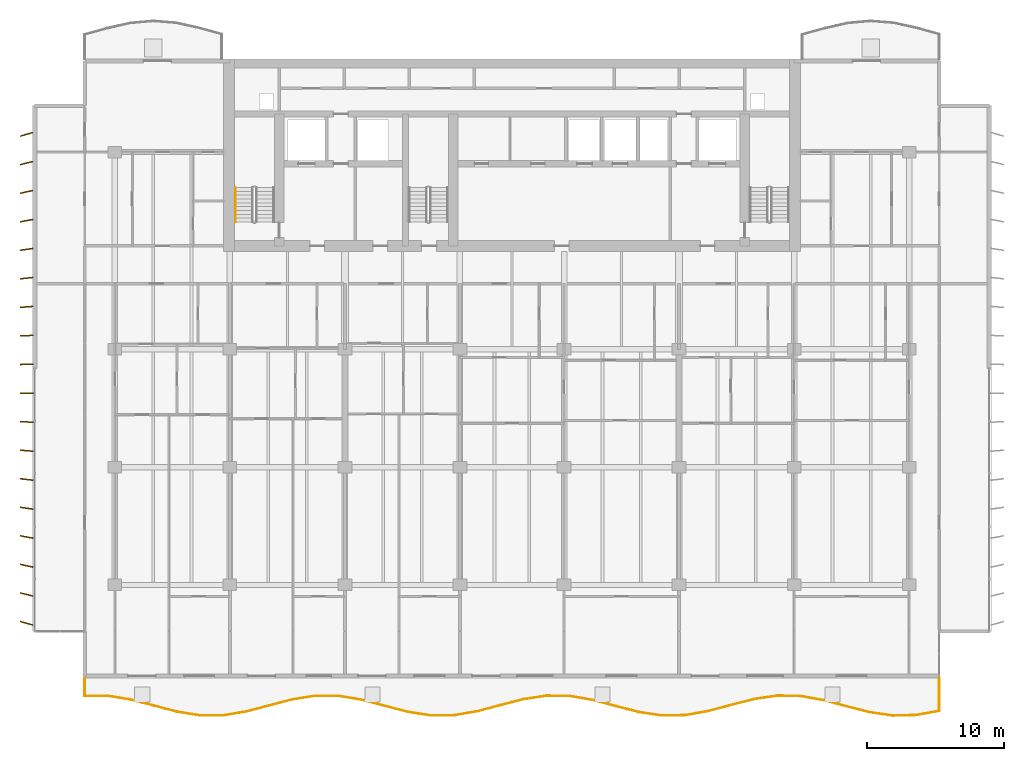
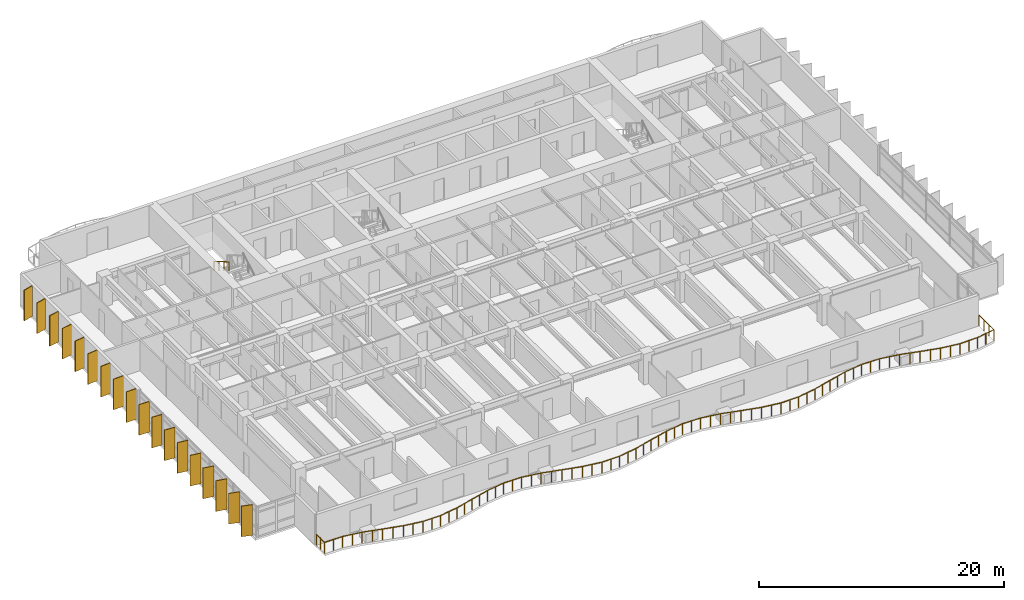
# One storey, part 13 of 16: 18 shading devices, 2 railings.
"""IFC4 building model written with IfcOpenShell, lengths in metres."""

from ifc_helpers import new_model, si_unit, direction, frame, origin, origin_2d, place, context, subcontext, project, spatial, rectangle, circle, extrude, material, material_profile, profile_set, type_object, element, save


model = new_model("IFC4")

# Units and contexts
model_context = context("Model", 3, precision=1e-05, world=origin(), true_north=direction((0.0, 1.0)))
body_context = subcontext(model_context, "Body", "Model", "MODEL_VIEW")
ifc_project = project(units=[si_unit("LENGTHUNIT", "METRE"), si_unit("AREAUNIT", "SQUARE_METRE"), si_unit("VOLUMEUNIT", "CUBIC_METRE"), si_unit("PLANEANGLEUNIT", "RADIAN"), si_unit("MASSUNIT", "GRAM", prefix="KILO")], contexts=[model_context])

# Site, building, storey
site_placement = place(None, origin())
site = spatial("IfcSite", under=ifc_project, at=site_placement, CompositionType="ELEMENT")
building_placement = place(site_placement, origin())
building = spatial("IfcBuilding", under=site, at=building_placement, Name="Caelmar Bay Residences", CompositionType="ELEMENT")
storey_placement = place(building_placement, frame((0.0, 0.0, 145.5)))
storey = spatial("IfcBuildingStorey", under=building, at=storey_placement, Name="L40", CompositionType="ELEMENT", Elevation=145.5)

# Railings
ifc_material_1 = material(Name="Anodised bronze handrail with laminated hurricane glass infill", Category="glass")
railing_type_1 = type_object("IfcRailingType", Name="RL-BAL-1100", PredefinedType="BALUSTRADE", material=ifc_material_1)
railing_1_placement = place(storey_placement, frame((7.699951171875, 5.39990234375, 0.0)))
element("IfcRailing", 1, at=railing_1_placement, inside=storey, type_object=railing_type_1, Name="L40 south Balcony Balustrade", PredefinedType="BALUSTRADE", context=body_context, shape_type="SweptSolid", body=[
    extrude(circle(Radius=0.02392578125, at=origin_2d()), frame((0.0, 0.0, 1.076171875), z_axis=(0.0, -1.0, 0.0), x_axis=(1.0, 0.0, 0.0)), (0.0, 0.0, 1.0), 1.306640625),
    extrude(circle(Radius=0.02392578125, at=origin_2d()), frame((0.0, -1.306640625, 1.076171875), z_axis=(0.999999958089, -0.000289519386, 0.0), x_axis=(0.000289519386, 0.999999958089, 0.0)), (0.0, 0.0, 1.0), 1.6865234375),
    extrude(circle(Radius=0.02392578125, at=origin_2d()), frame((1.6865234375, -1.30712890625, 1.076171875), z_axis=(0.986974579676, -0.160876284991, 0.0), x_axis=(0.160876284991, 0.986974579676, 0.0)), (0.0, 0.0, 1.0), 1.708740234375),
    extrude(circle(Radius=0.02392578125, at=origin_2d()), frame((3.373046875, -1.58203125, 1.076171875), z_axis=(0.967139791751, -0.254245202927, 0.0), x_axis=(0.254245202927, 0.967139791751, 0.0)), (0.0, 0.0, 1.0), 1.743896484375),
    extrude(circle(Radius=0.02392578125, at=origin_2d()), frame((5.0595703125, -2.025390625, 1.076171875), z_axis=(0.967440029978, -0.253100352421, 0.0), x_axis=(0.253100352421, 0.967440029978, 0.0)), (0.0, 0.0, 1.0), 1.742919921875),
    extrude(circle(Radius=0.02392578125, at=origin_2d()), frame((6.745849609375, -2.466552734375, 1.076171875), z_axis=(0.9874914269, -0.157672704672, 0.0), x_axis=(0.157672704672, 0.9874914269, 0.0)), (0.0, 0.0, 1.0), 1.7080078125),
    extrude(circle(Radius=0.02392578125, at=origin_2d()), frame((8.432373046875, -2.73583984375, 1.076171875), z_axis=(0.999993451511, 0.003618968774, 0.0), x_axis=(-0.003618968774, 0.999993451511, 0.0)), (0.0, 0.0, 1.0), 1.6865234375),
    extrude(circle(Radius=0.02392578125, at=origin_2d()), frame((10.118896484375, -2.729736328125, 1.076171875), z_axis=(0.986563231063, 0.163379898138, 0.0), x_axis=(-0.163379898138, 0.986563231063, 0.0)), (0.0, 0.0, 1.0), 1.70947265625),
    extrude(circle(Radius=0.02392578125, at=origin_2d()), frame((11.805419921875, -2.450439453125, 1.076171875), z_axis=(0.966898439916, 0.255161530974, 0.0), x_axis=(-0.255161530974, 0.966898439916, 0.0)), (0.0, 0.0, 1.0), 1.744140625),
    extrude(circle(Radius=0.02392578125, at=origin_2d()), frame((13.491943359375, -2.00537109375, 1.076171875), z_axis=(0.967688638473, 0.252148168682, 0.0), x_axis=(-0.252148168682, 0.967688638473, 0.0)), (0.0, 0.0, 1.0), 1.742919921875),
    extrude(circle(Radius=0.02392578125, at=origin_2d()), frame((15.178466796875, -1.56591796875, 1.076171875), z_axis=(0.987910938924, 0.155022504023, 0.0), x_axis=(-0.155022504023, 0.987910938924, 0.0)), (0.0, 0.0, 1.0), 1.707275390625),
    extrude(circle(Radius=0.02392578125, at=origin_2d()), frame((16.864990234375, -1.30126953125, 1.076171875), z_axis=(0.999975860287, -0.006948297813, 0.0), x_axis=(0.006948297813, 0.999975860287, 0.0)), (0.0, 0.0, 1.0), 1.6865234375),
    extrude(circle(Radius=0.02392578125, at=origin_2d()), frame((18.551513671875, -1.31298828125, 1.076171875), z_axis=(0.986118588389, -0.166042553684, 0.0), x_axis=(0.166042553684, 0.986118588389, 0.0)), (0.0, 0.0, 1.0), 1.7099609375),
    extrude(circle(Radius=0.02392578125, at=origin_2d()), frame((20.23779296875, -1.596923828125, 1.076171875), z_axis=(0.966690972381, -0.255946408292, 0.0), x_axis=(0.255946408292, 0.966690972381, 0.0)), (0.0, 0.0, 1.0), 1.74462890625),
    extrude(circle(Radius=0.02392578125, at=origin_2d()), frame((21.92431640625, -2.04345703125, 1.076171875), z_axis=(0.967927523166, -0.251229595981, 0.0), x_axis=(0.251229595981, 0.967927523166, 0.0)), (0.0, 0.0, 1.0), 1.742431640625),
    extrude(circle(Radius=0.02392578125, at=origin_2d()), frame((23.61083984375, -2.481201171875, 1.076171875), z_axis=(0.988323683, -0.152368952287, 0.0), x_axis=(0.152368952287, 0.988323683, 0.0)), (0.0, 0.0, 1.0), 1.70654296875),
    extrude(circle(Radius=0.02392578125, at=origin_2d()), frame((25.29736328125, -2.7412109375, 1.076171875), z_axis=(0.999945688105, 0.010422132244, 0.0), x_axis=(-0.010422132244, 0.999945688105, 0.0)), (0.0, 0.0, 1.0), 1.6865234375),
    extrude(circle(Radius=0.02392578125, at=origin_2d()), frame((26.98388671875, -2.7236328125, 1.076171875), z_axis=(0.985698872847, 0.168516266478, 0.0), x_axis=(-0.168516266478, 0.985698872847, 0.0)), (0.0, 0.0, 1.0), 1.7109375),
    extrude(circle(Radius=0.02392578125, at=origin_2d()), frame((28.67041015625, -2.435302734375, 1.076171875), z_axis=(0.966448234949, 0.256861459086, 0.0), x_axis=(-0.256861459086, 0.966448234949, 0.0)), (0.0, 0.0, 1.0), 1.7451171875),
    extrude(circle(Radius=0.02392578125, at=origin_2d()), frame((30.35693359375, -1.987060546875, 1.076171875), z_axis=(0.968224786027, 0.250081514156, 0.0), x_axis=(-0.250081514156, 0.968224786027, 0.0)), (0.0, 0.0, 1.0), 1.74169921875),
    extrude(circle(Radius=0.02392578125, at=origin_2d()), frame((32.043212890625, -1.551513671875, 1.076171875), z_axis=(0.988729632771, 0.149712101314, 0.0), x_axis=(-0.149712101314, 0.988729632771, 0.0)), (0.0, 0.0, 1.0), 1.705810546875),
    extrude(circle(Radius=0.02392578125, at=origin_2d()), frame((33.729736328125, -1.296142578125, 1.076171875), z_axis=(0.999905452302, -0.013750871159, 0.0), x_axis=(0.013750871159, 0.999905452302, 0.0)), (0.0, 0.0, 1.0), 1.686767578125),
    extrude(circle(Radius=0.02392578125, at=origin_2d()), frame((35.416259765625, -1.3193359375, 1.076171875), z_axis=(0.985269273516, -0.17101011276, 0.0), x_axis=(0.17101011276, 0.985269273516, 0.0)), (0.0, 0.0, 1.0), 1.711669921875),
    extrude(circle(Radius=0.02392578125, at=origin_2d()), frame((37.102783203125, -1.612060546875, 1.076171875), z_axis=(0.966239582517, -0.257645238998, 0.0), x_axis=(0.257645238998, 0.966239582517, 0.0)), (0.0, 0.0, 1.0), 1.745361328125),
    extrude(circle(Radius=0.02392578125, at=origin_2d()), frame((38.789306640625, -2.061767578125, 1.076171875), z_axis=(0.968504525457, -0.248995952115, 0.0), x_axis=(0.248995952115, 0.968504525457, 0.0)), (0.0, 0.0, 1.0), 1.741455078125),
    extrude(circle(Radius=0.02392578125, at=origin_2d()), frame((40.475830078125, -2.495361328125, 1.076171875), z_axis=(0.989149579657, -0.146911909196, 0.0), x_axis=(0.146911909196, 0.989149579657, 0.0)), (0.0, 0.0, 1.0), 1.705078125),
    extrude(circle(Radius=0.02392578125, at=origin_2d()), frame((42.162353515625, -2.745849609375, 1.076171875), z_axis=(0.999856560301, 0.016936907131, 0.0), x_axis=(-0.016936907131, 0.999856560301, 0.0)), (0.0, 0.0, 1.0), 1.6865234375),
    extrude(circle(Radius=0.02392578125, at=origin_2d()), frame((43.8486328125, -2.71728515625, 1.076171875), z_axis=(0.984833750045, 0.173500676578, 0.0), x_axis=(-0.173500676578, 0.984833750045, 0.0)), (0.0, 0.0, 1.0), 1.71240234375),
    extrude(circle(Radius=0.02392578125, at=origin_2d()), frame((45.53515625, -2.420166015625, 1.076171875), z_axis=(0.966030385071, 0.258428510656, 0.0), x_axis=(-0.258428510656, 0.966030385071, 0.0)), (0.0, 0.0, 1.0), 1.745849609375),
    extrude(circle(Radius=0.02392578125, at=origin_2d()), frame((47.2216796875, -1.968994140625, 1.076171875), z_axis=(0.968808185874, 0.24781182172, 0.0), x_axis=(-0.24781182172, 0.968808185874, 0.0)), (0.0, 0.0, 1.0), 1.74072265625),
    extrude(circle(Radius=0.02392578125, at=origin_2d()), frame((48.908203125, -1.53759765625, 1.076171875), z_axis=(0.989521045856, 0.144388710802, 0.0), x_axis=(-0.144388710802, 0.989521045856, 0.0)), (0.0, 0.0, 1.0), 1.704345703125),
    extrude(circle(Radius=0.02392578125, at=origin_2d()), frame((50.5947265625, -1.29150390625, 1.076171875), z_axis=(0.999791758205, -0.020406867097, 0.0), x_axis=(0.020406867097, 0.999791758205, 0.0)), (0.0, 0.0, 1.0), 1.686767578125),
    extrude(circle(Radius=0.02392578125, at=origin_2d()), frame((52.28125, -1.325927734375, 1.076171875), z_axis=(0.984387912567, -0.176012606344, 0.0), x_axis=(0.176012606344, 0.984387912567, 0.0)), (0.0, 0.0, 1.0), 1.713134765625),
    extrude(circle(Radius=0.02392578125, at=origin_2d()), frame((53.967529296875, -1.62744140625, 1.076171875), z_axis=(0.965855638387, -0.259080847992, 0.0), x_axis=(0.259080847992, 0.965855638387, 0.0)), (0.0, 0.0, 1.0), 1.74609375),
    extrude(circle(Radius=0.02392578125, at=origin_2d()), frame((55.654052734375, -2.079833984375, 1.076171875), z_axis=(0.969077049344, -0.246758327996, 0.0), x_axis=(0.246758327996, 0.969077049344, 0.0)), (0.0, 0.0, 1.0), 1.740234375),
    extrude(circle(Radius=0.02392578125, at=origin_2d()), frame((57.340576171875, -2.50927734375, 1.076171875), z_axis=(0.98994662737, -0.141441418821, 0.0), x_axis=(0.141441418821, 0.98994662737, 0.0)), (0.0, 0.0, 1.0), 1.70361328125),
    extrude(circle(Radius=0.02392578125, at=origin_2d()), frame((59.027099609375, -2.750244140625, 1.076171875), z_axis=(0.999718311246, 0.023733903162, 0.0), x_axis=(-0.023733903162, 0.999718311246, 0.0)), (0.0, 0.0, 1.0), 1.68701171875),
    extrude(circle(Radius=0.02392578125, at=origin_2d()), frame((60.713623046875, -2.710205078125, 1.076171875), z_axis=(0.983970032718, 0.17833388549, 0.0), x_axis=(-0.17833388549, 0.983970032718, 0.0)), (0.0, 0.0, 1.0), 1.714111328125),
    extrude(circle(Radius=0.02392578125, at=origin_2d()), frame((62.400146484375, -2.404541015625, 1.076171875), z_axis=(0.0, 1.0, 0.0), x_axis=(-1.0, 0.0, 0.0)), (0.0, 0.0, 1.0), 2.404541015625),
    extrude(circle(Radius=0.02099609375, at=origin_2d()), origin(), (0.0, 0.0, 1.0), 1.052001953125),
    extrude(circle(Radius=0.02099609375, at=origin_2d()), frame((0.0, -0.6533203125, 0.0)), (0.0, 0.0, 1.0), 1.052001953125),
    extrude(circle(Radius=0.02099609375, at=origin_2d()), frame((0.0, -1.306640625, 0.0)), (0.0, 0.0, 1.0), 1.052001953125),
    extrude(circle(Radius=0.02099609375, at=origin_2d()), frame((0.84326171875, -1.306884765625, 0.0)), (0.0, 0.0, 1.0), 1.052001953125),
    extrude(circle(Radius=0.02099609375, at=origin_2d()), frame((1.6865234375, -1.30712890625, 0.0)), (0.0, 0.0, 1.0), 1.052001953125),
    extrude(circle(Radius=0.02099609375, at=origin_2d()), frame((2.52978515625, -1.444580078125, 0.0)), (0.0, 0.0, 1.0), 1.052001953125),
    extrude(circle(Radius=0.02099609375, at=origin_2d()), frame((3.373046875, -1.58203125, 0.0)), (0.0, 0.0, 1.0), 1.052001953125),
    extrude(circle(Radius=0.02099609375, at=origin_2d()), frame((4.21630859375, -1.8037109375, 0.0)), (0.0, 0.0, 1.0), 1.052001953125),
    extrude(circle(Radius=0.02099609375, at=origin_2d()), frame((5.0595703125, -2.025390625, 0.0)), (0.0, 0.0, 1.0), 1.052001953125),
    extrude(circle(Radius=0.02099609375, at=origin_2d()), frame((5.90283203125, -2.24609375, 0.0)), (0.0, 0.0, 1.0), 1.052001953125),
    extrude(circle(Radius=0.02099609375, at=origin_2d()), frame((6.745849609375, -2.466552734375, 0.0)), (0.0, 0.0, 1.0), 1.052001953125),
    extrude(circle(Radius=0.02099609375, at=origin_2d()), frame((7.589111328125, -2.60107421875, 0.0)), (0.0, 0.0, 1.0), 1.052001953125),
    extrude(circle(Radius=0.02099609375, at=origin_2d()), frame((8.432373046875, -2.73583984375, 0.0)), (0.0, 0.0, 1.0), 1.052001953125),
    extrude(circle(Radius=0.02099609375, at=origin_2d()), frame((9.275634765625, -2.73291015625, 0.0)), (0.0, 0.0, 1.0), 1.052001953125),
    extrude(circle(Radius=0.02099609375, at=origin_2d()), frame((10.118896484375, -2.729736328125, 0.0)), (0.0, 0.0, 1.0), 1.052001953125),
    extrude(circle(Radius=0.02099609375, at=origin_2d()), frame((10.962158203125, -2.590087890625, 0.0)), (0.0, 0.0, 1.0), 1.052001953125),
    extrude(circle(Radius=0.02099609375, at=origin_2d()), frame((11.805419921875, -2.450439453125, 0.0)), (0.0, 0.0, 1.0), 1.052001953125),
    extrude(circle(Radius=0.02099609375, at=origin_2d()), frame((12.648681640625, -2.22802734375, 0.0)), (0.0, 0.0, 1.0), 1.052001953125),
    extrude(circle(Radius=0.02099609375, at=origin_2d()), frame((13.491943359375, -2.00537109375, 0.0)), (0.0, 0.0, 1.0), 1.052001953125),
    extrude(circle(Radius=0.02099609375, at=origin_2d()), frame((14.335205078125, -1.78564453125, 0.0)), (0.0, 0.0, 1.0), 1.052001953125),
    extrude(circle(Radius=0.02099609375, at=origin_2d()), frame((15.178466796875, -1.56591796875, 0.0)), (0.0, 0.0, 1.0), 1.052001953125),
    extrude(circle(Radius=0.02099609375, at=origin_2d()), frame((16.021728515625, -1.43359375, 0.0)), (0.0, 0.0, 1.0), 1.052001953125),
    extrude(circle(Radius=0.02099609375, at=origin_2d()), frame((16.864990234375, -1.30126953125, 0.0)), (0.0, 0.0, 1.0), 1.052001953125),
    extrude(circle(Radius=0.02099609375, at=origin_2d()), frame((17.708251953125, -1.30712890625, 0.0)), (0.0, 0.0, 1.0), 1.052001953125),
    extrude(circle(Radius=0.02099609375, at=origin_2d()), frame((18.551513671875, -1.31298828125, 0.0)), (0.0, 0.0, 1.0), 1.052001953125),
    extrude(circle(Radius=0.02099609375, at=origin_2d()), frame((19.39453125, -1.455078125, 0.0)), (0.0, 0.0, 1.0), 1.052001953125),
    extrude(circle(Radius=0.02099609375, at=origin_2d()), frame((20.23779296875, -1.596923828125, 0.0)), (0.0, 0.0, 1.0), 1.052001953125),
    extrude(circle(Radius=0.02099609375, at=origin_2d()), frame((21.0810546875, -1.8203125, 0.0)), (0.0, 0.0, 1.0), 1.052001953125),
    extrude(circle(Radius=0.02099609375, at=origin_2d()), frame((21.92431640625, -2.04345703125, 0.0)), (0.0, 0.0, 1.0), 1.052001953125),
    extrude(circle(Radius=0.02099609375, at=origin_2d()), frame((22.767578125, -2.26220703125, 0.0)), (0.0, 0.0, 1.0), 1.052001953125),
    extrude(circle(Radius=0.02099609375, at=origin_2d()), frame((23.61083984375, -2.481201171875, 0.0)), (0.0, 0.0, 1.0), 1.052001953125),
    extrude(circle(Radius=0.02099609375, at=origin_2d()), frame((24.4541015625, -2.611328125, 0.0)), (0.0, 0.0, 1.0), 1.052001953125),
    extrude(circle(Radius=0.02099609375, at=origin_2d()), frame((25.29736328125, -2.7412109375, 0.0)), (0.0, 0.0, 1.0), 1.052001953125),
    extrude(circle(Radius=0.02099609375, at=origin_2d()), frame((26.140625, -2.732421875, 0.0)), (0.0, 0.0, 1.0), 1.052001953125),
    extrude(circle(Radius=0.02099609375, at=origin_2d()), frame((26.98388671875, -2.7236328125, 0.0)), (0.0, 0.0, 1.0), 1.052001953125),
    extrude(circle(Radius=0.02099609375, at=origin_2d()), frame((27.8271484375, -2.57958984375, 0.0)), (0.0, 0.0, 1.0), 1.052001953125),
    extrude(circle(Radius=0.02099609375, at=origin_2d()), frame((28.67041015625, -2.435302734375, 0.0)), (0.0, 0.0, 1.0), 1.052001953125),
    extrude(circle(Radius=0.02099609375, at=origin_2d()), frame((29.513671875, -2.211181640625, 0.0)), (0.0, 0.0, 1.0), 1.052001953125),
    extrude(circle(Radius=0.02099609375, at=origin_2d()), frame((30.35693359375, -1.987060546875, 0.0)), (0.0, 0.0, 1.0), 1.052001953125),
    extrude(circle(Radius=0.02099609375, at=origin_2d()), frame((31.2001953125, -1.769287109375, 0.0)), (0.0, 0.0, 1.0), 1.052001953125),
    extrude(circle(Radius=0.02099609375, at=origin_2d()), frame((32.043212890625, -1.551513671875, 0.0)), (0.0, 0.0, 1.0), 1.052001953125),
    extrude(circle(Radius=0.02099609375, at=origin_2d()), frame((32.886474609375, -1.423828125, 0.0)), (0.0, 0.0, 1.0), 1.052001953125),
    extrude(circle(Radius=0.02099609375, at=origin_2d()), frame((33.729736328125, -1.296142578125, 0.0)), (0.0, 0.0, 1.0), 1.052001953125),
    extrude(circle(Radius=0.02099609375, at=origin_2d()), frame((34.572998046875, -1.3076171875, 0.0)), (0.0, 0.0, 1.0), 1.052001953125),
    extrude(circle(Radius=0.02099609375, at=origin_2d()), frame((35.416259765625, -1.3193359375, 0.0)), (0.0, 0.0, 1.0), 1.052001953125),
    extrude(circle(Radius=0.02099609375, at=origin_2d()), frame((36.259521484375, -1.4658203125, 0.0)), (0.0, 0.0, 1.0), 1.052001953125),
    extrude(circle(Radius=0.02099609375, at=origin_2d()), frame((37.102783203125, -1.612060546875, 0.0)), (0.0, 0.0, 1.0), 1.052001953125),
    extrude(circle(Radius=0.02099609375, at=origin_2d()), frame((37.946044921875, -1.8369140625, 0.0)), (0.0, 0.0, 1.0), 1.052001953125),
    extrude(circle(Radius=0.02099609375, at=origin_2d()), frame((38.789306640625, -2.061767578125, 0.0)), (0.0, 0.0, 1.0), 1.052001953125),
    extrude(circle(Radius=0.02099609375, at=origin_2d()), frame((39.632568359375, -2.278564453125, 0.0)), (0.0, 0.0, 1.0), 1.052001953125),
    extrude(circle(Radius=0.02099609375, at=origin_2d()), frame((40.475830078125, -2.495361328125, 0.0)), (0.0, 0.0, 1.0), 1.052001953125),
    extrude(circle(Radius=0.02099609375, at=origin_2d()), frame((41.319091796875, -2.62060546875, 0.0)), (0.0, 0.0, 1.0), 1.052001953125),
    extrude(circle(Radius=0.02099609375, at=origin_2d()), frame((42.162353515625, -2.745849609375, 0.0)), (0.0, 0.0, 1.0), 1.052001953125),
    extrude(circle(Radius=0.02099609375, at=origin_2d()), frame((43.00537109375, -2.7314453125, 0.0)), (0.0, 0.0, 1.0), 1.052001953125),
    extrude(circle(Radius=0.02099609375, at=origin_2d()), frame((43.8486328125, -2.71728515625, 0.0)), (0.0, 0.0, 1.0), 1.052001953125),
    extrude(circle(Radius=0.02099609375, at=origin_2d()), frame((44.69189453125, -2.56884765625, 0.0)), (0.0, 0.0, 1.0), 1.052001953125),
    extrude(circle(Radius=0.02099609375, at=origin_2d()), frame((45.53515625, -2.420166015625, 0.0)), (0.0, 0.0, 1.0), 1.052001953125),
    extrude(circle(Radius=0.02099609375, at=origin_2d()), frame((46.37841796875, -2.194580078125, 0.0)), (0.0, 0.0, 1.0), 1.052001953125),
    extrude(circle(Radius=0.02099609375, at=origin_2d()), frame((47.2216796875, -1.968994140625, 0.0)), (0.0, 0.0, 1.0), 1.052001953125),
    extrude(circle(Radius=0.02099609375, at=origin_2d()), frame((48.06494140625, -1.75341796875, 0.0)), (0.0, 0.0, 1.0), 1.052001953125),
    extrude(circle(Radius=0.02099609375, at=origin_2d()), frame((48.908203125, -1.53759765625, 0.0)), (0.0, 0.0, 1.0), 1.052001953125),
    extrude(circle(Radius=0.02099609375, at=origin_2d()), frame((49.75146484375, -1.41455078125, 0.0)), (0.0, 0.0, 1.0), 1.052001953125),
    extrude(circle(Radius=0.02099609375, at=origin_2d()), frame((50.5947265625, -1.29150390625, 0.0)), (0.0, 0.0, 1.0), 1.052001953125),
    extrude(circle(Radius=0.02099609375, at=origin_2d()), frame((51.43798828125, -1.30859375, 0.0)), (0.0, 0.0, 1.0), 1.052001953125),
    extrude(circle(Radius=0.02099609375, at=origin_2d()), frame((52.28125, -1.325927734375, 0.0)), (0.0, 0.0, 1.0), 1.052001953125),
    extrude(circle(Radius=0.02099609375, at=origin_2d()), frame((53.12451171875, -1.4765625, 0.0)), (0.0, 0.0, 1.0), 1.052001953125),
    extrude(circle(Radius=0.02099609375, at=origin_2d()), frame((53.967529296875, -1.62744140625, 0.0)), (0.0, 0.0, 1.0), 1.052001953125),
    extrude(circle(Radius=0.02099609375, at=origin_2d()), frame((54.810791015625, -1.853515625, 0.0)), (0.0, 0.0, 1.0), 1.052001953125),
    extrude(circle(Radius=0.02099609375, at=origin_2d()), frame((55.654052734375, -2.079833984375, 0.0)), (0.0, 0.0, 1.0), 1.052001953125),
    extrude(circle(Radius=0.02099609375, at=origin_2d()), frame((56.497314453125, -2.29443359375, 0.0)), (0.0, 0.0, 1.0), 1.052001953125),
    extrude(circle(Radius=0.02099609375, at=origin_2d()), frame((57.340576171875, -2.50927734375, 0.0)), (0.0, 0.0, 1.0), 1.052001953125),
    extrude(circle(Radius=0.02099609375, at=origin_2d()), frame((58.183837890625, -2.6298828125, 0.0)), (0.0, 0.0, 1.0), 1.052001953125),
    extrude(circle(Radius=0.02099609375, at=origin_2d()), frame((59.027099609375, -2.750244140625, 0.0)), (0.0, 0.0, 1.0), 1.052001953125),
    extrude(circle(Radius=0.02099609375, at=origin_2d()), frame((59.870361328125, -2.730224609375, 0.0)), (0.0, 0.0, 1.0), 1.052001953125),
    extrude(circle(Radius=0.02099609375, at=origin_2d()), frame((60.713623046875, -2.710205078125, 0.0)), (0.0, 0.0, 1.0), 1.052001953125),
    extrude(circle(Radius=0.02099609375, at=origin_2d()), frame((61.556884765625, -2.557373046875, 0.0)), (0.0, 0.0, 1.0), 1.052001953125),
    extrude(circle(Radius=0.02099609375, at=origin_2d()), frame((62.400146484375, -2.404541015625, 0.0)), (0.0, 0.0, 1.0), 1.052001953125),
    extrude(circle(Radius=0.02099609375, at=origin_2d()), frame((62.400146484375, -1.60302734375, 0.0)), (0.0, 0.0, 1.0), 1.052001953125),
    extrude(circle(Radius=0.02099609375, at=origin_2d()), frame((62.400146484375, -0.801513671875, 0.0)), (0.0, 0.0, 1.0), 1.052001953125),
    extrude(circle(Radius=0.02099609375, at=origin_2d()), frame((62.400146484375, 0.0, 0.0)), (0.0, 0.0, 1.0), 1.052001953125),
])
ifc_material_2 = material(Name="Brushed bronze stainless-steel tubular handrail 900 mm", Category="steel")
railing_type_2 = type_object("IfcRailingType", Name="RL-HND-900", PredefinedType="HANDRAIL", material=ifc_material_2)
railing_2_placement = place(storey_placement, frame((18.699951171875, 41.219970703125, 1.81494140625)))
element("IfcRailing", 2, at=railing_2_placement, inside=storey, type_object=railing_type_2, Name="L40 ST1 stair handrail 2", PredefinedType="HANDRAIL", context=body_context, shape_type="SweptSolid", body=[
    extrude(circle(Radius=0.02392578125, at=origin_2d()), frame((0.0, 0.0, 0.8759765625), z_axis=(0.0, -0.86152411907, 0.507716645641), x_axis=(1.0, 0.0, 0.0)), (0.0, 0.0, 1.0), 2.925048828125),
    extrude(circle(Radius=0.02099609375, at=origin_2d()), origin(), (0.0, 0.0, 1.0), 0.851806640625),
    extrude(circle(Radius=0.02099609375, at=origin_2d()), frame((0.0, -0.840087890625, 0.4951171875)), (0.0, 0.0, 1.0), 0.851806640625),
    extrude(circle(Radius=0.02099609375, at=origin_2d()), frame((0.0, -1.679931640625, 0.989990234375)), (0.0, 0.0, 1.0), 0.851806640625),
    extrude(circle(Radius=0.02099609375, at=origin_2d()), frame((0.0, -2.52001953125, 1.485107421875)), (0.0, 0.0, 1.0), 0.851806640625),
])

# Shading devices
ifc_material_3 = material(Name="Anodised architectural bronze aluminium 6063-T6", Category="aluminium")
ifc_material_profile = material_profile(ifc_material_3, rectangle(XDim=0.074951171875, YDim=0.949951171875, at=origin_2d()), Name="BRONZE-FIN-75X950")
ifc_profile_set = profile_set([ifc_material_profile], Name="Anodised architectural bronze aluminium 6063-T6")
shading_device_type = type_object("IfcShadingDeviceType", Name="SHD-FIN-950", PredefinedType="USERDEFINED", material=ifc_profile_set)
for number, where, z_axis, x_axis, name in (
    (3, (3.449951171875, 9.39990234375, 0.0), (0.0, 0.0, 1.0), (0.275637355817, 0.961261695938, 0.0), "L40 West Bronze Solar Fin 1"),
    (4, (3.449951171875, 11.5, 0.0), (0.0, 0.0, 1.0), (0.243953546137, 0.969786918517, 0.0), "L40 West Bronze Solar Fin 2"),
    (5, (3.449951171875, 13.60009765625, 0.0), (0.0, 0.0, 1.0), (0.212007109922, 0.977268123568, 0.0), "L40 West Bronze Solar Fin 3"),
    (6, (3.449951171875, 15.699951171875, 0.0), (0.0, 0.0, 1.0), (0.179660748593, 0.98372862895, 0.0), "L40 West Bronze Solar Fin 4"),
    (7, (3.449951171875, 17.800048828125, 0.0), (0.0, 0.0, 1.0), (0.147291543397, 0.989093120613, 0.0), "L40 West Bronze Solar Fin 5"),
    (8, (3.449951171875, 19.89990234375, 0.0), (0.0, 0.0, 1.0), (0.114763772489, 0.993392810787, 0.0), "L40 West Bronze Solar Fin 6"),
    (9, (3.449951171875, 22.0, 0.0), (0.0, 0.0, 1.0), (0.08211245342, 0.996623070671, 0.0), "L40 West Bronze Solar Fin 7"),
    (10, (3.449951171875, 24.10009765625, 0.0), (0.0, 0.0, 1.0), (0.049198415926, 0.998789024705, 0.0), "L40 West Bronze Solar Fin 8"),
    (11, (3.449951171875, 26.199951171875, 0.0), (0.0, 0.0, 1.0), (0.016405359001, 0.999865423043, 0.0), "L40 West Bronze Solar Fin 9"),
    (12, (3.449951171875, 28.300048828125, 0.0), (0.0, 0.0, 1.0), (-0.016405359001, 0.999865423043, 0.0), "L40 West Bronze Solar Fin 10"),
    (13, (3.449951171875, 30.39990234375, 0.0), (0.0, 0.0, 1.0), (-0.049198415926, 0.998789024705, 0.0), "L40 West Bronze Solar Fin 11"),
    (14, (3.449951171875, 32.5, 0.0), (0.0, 0.0, 1.0), (-0.08211245342, 0.996623070671, 0.0), "L40 West Bronze Solar Fin 12"),
    (15, (3.449951171875, 34.60009765625, 0.0), (0.0, 0.0, 1.0), (-0.114763772489, 0.993392810787, 0.0), "L40 West Bronze Solar Fin 13"),
    (16, (3.449951171875, 36.699951171875, 0.0), (0.0, 0.0, 1.0), (-0.147291543397, 0.989093120613, 0.0), "L40 West Bronze Solar Fin 14"),
    (17, (3.449951171875, 38.800048828125, 0.0), (0.0, 0.0, 1.0), (-0.179660748593, 0.98372862895, 0.0), "L40 West Bronze Solar Fin 15"),
    (18, (3.449951171875, 40.89990234375, 0.0), (0.0, 0.0, 1.0), (-0.212007109922, 0.977268123568, 0.0), "L40 West Bronze Solar Fin 16"),
    (19, (3.449951171875, 43.0, 0.0), (0.0, 0.0, 1.0), (-0.243953546137, 0.969786918517, 0.0), "L40 West Bronze Solar Fin 17"),
    (20, (3.449951171875, 45.10009765625, 0.0), (0.0, 0.0, 1.0), (-0.275637355817, 0.961261695938, 0.0), "L40 West Bronze Solar Fin 18"),
):
    element("IfcShadingDevice", number, at=place(storey_placement, frame(where, z_axis=z_axis, x_axis=x_axis)), inside=storey, type_object=shading_device_type, Name=name, ObjectType="FIN", PredefinedType="USERDEFINED", context=body_context, shape_type="SweptSolid", body=[
        extrude(rectangle(XDim=0.074951171875, YDim=0.949951171875, at=origin_2d()), origin(), (0.0, 0.0, 1.0), 3.050048828125),
    ])

save(model, "model.ifc")
